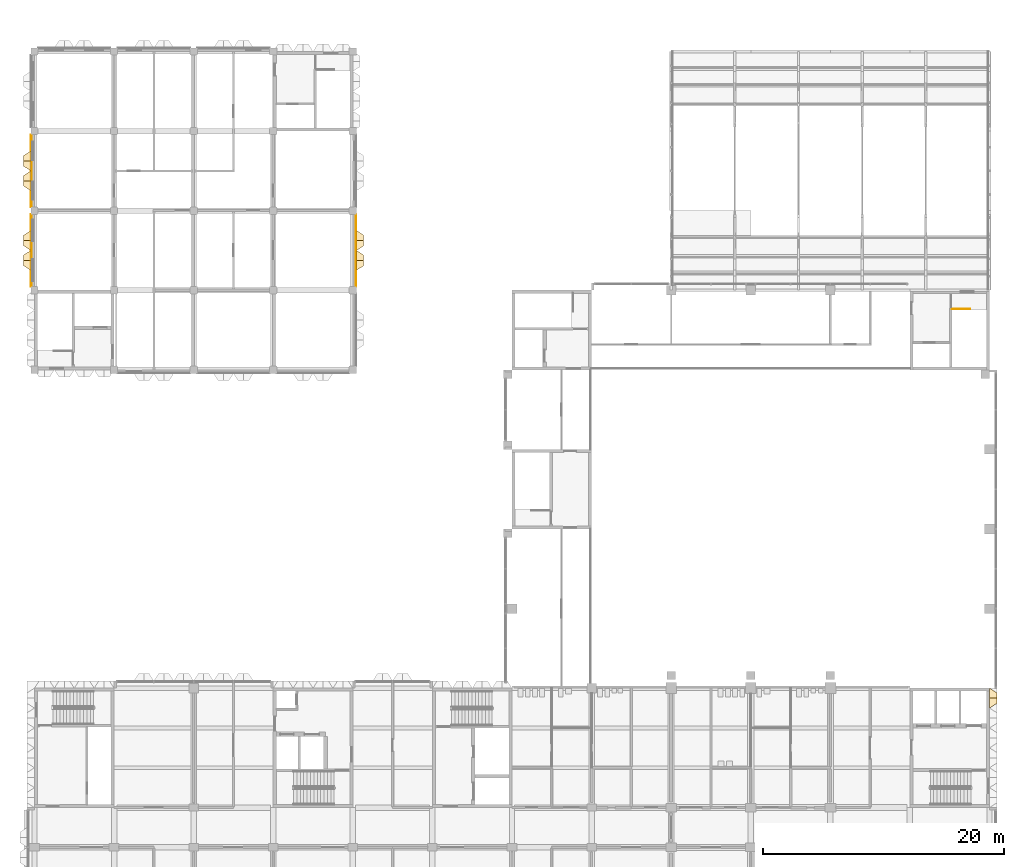
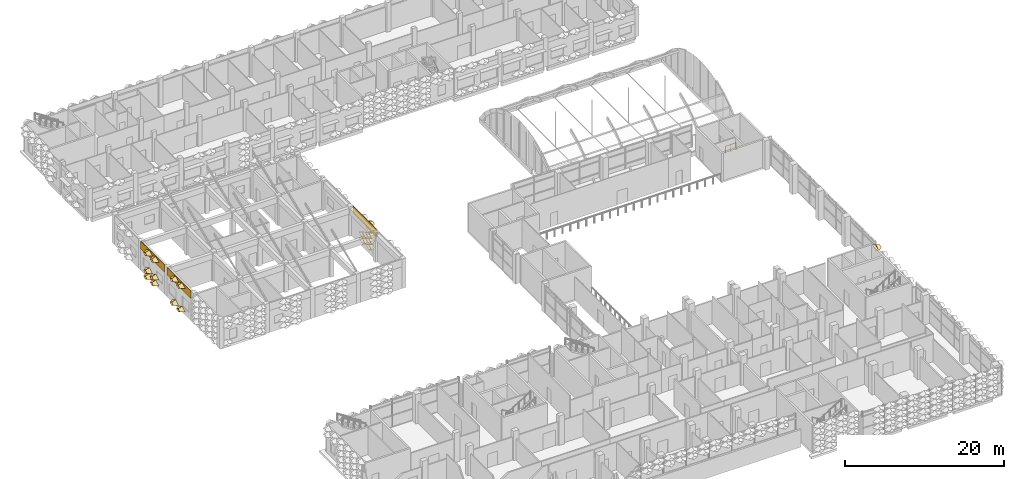
# One storey, part 81 of 102: 21 coverings, 1 railing.
"""IFC4 building model written with IfcOpenShell, lengths in metres."""

from ifc_helpers import new_model, entity, si_unit, direction, frame, frame_2d, origin, origin_2d, place, context, subcontext, project, spatial, rectangle, circle, extrude, material, layer, layer_set, type_object, element, save


model = new_model("IFC4")

# Units and contexts
model_context = context("Model", 3, precision=1e-05, world=origin(), true_north=direction((0.0, 1.0)))
body_context = subcontext(model_context, "Body", "Model", "MODEL_VIEW")
ifc_project = project(units=[si_unit("LENGTHUNIT", "METRE"), si_unit("AREAUNIT", "SQUARE_METRE"), si_unit("VOLUMEUNIT", "CUBIC_METRE"), si_unit("PLANEANGLEUNIT", "RADIAN"), si_unit("MASSUNIT", "GRAM", prefix="KILO")], contexts=[model_context])

# Site, building, storey
site_placement = place(None, origin())
site = spatial("IfcSite", under=ifc_project, at=site_placement, CompositionType="ELEMENT")
building_placement = place(site_placement, origin())
building = spatial("IfcBuilding", under=site, at=building_placement, Name="Lantern Court Research Institute", CompositionType="ELEMENT")
storey_placement = place(building_placement, frame((0.0, 0.0, 9.89990234375)))
storey = spatial("IfcBuildingStorey", under=building, at=storey_placement, Name="L02", CompositionType="ELEMENT", Elevation=9.89990234375)

# Coverings
ifc_material_1 = material(Name="Aluminium composite panel with mineral wool insulation", Category="aluminium")
ifc_layer_1 = layer(ifc_material_1, 0.074951171875)
ifc_layer_set_1 = layer_set([ifc_layer_1], Name="Aluminium composite panel with mineral wool insulation")
covering_type_1 = type_object("IfcCoveringType", Name="Edge fascia panel 75 aluminium faced", PredefinedType="CLADDING", material=ifc_layer_set_1)
for number, where, z_axis, x_axis, name in (
    (1, (26.66259765625, 62.39990234375, 3.35009765625), (0.0, 0.0, 1.0), (0.0, -1.0, 0.0), "Edge fascia V3E L02 02"),
    (2, (-0.262451171875, 56.39990234375, 3.35009765625), (0.0, 0.0, 1.0), (0.0, 1.0, 0.0), "Edge fascia V3W L02 01"),
    (3, (-0.262451171875, 63.0, 3.35009765625), (0.0, 0.0, 1.0), (0.0, 1.0, 0.0), "Edge fascia V3W L02 02"),
):
    element("IfcCovering", number, at=place(storey_placement, frame(where, z_axis=z_axis, x_axis=x_axis)), inside=storey, type_object=covering_type_1, Name=name, PredefinedType="CLADDING", context=body_context, shape_type="SweptSolid", body=[
        extrude(rectangle(XDim=6.0, YDim=0.074951171875, at=frame_2d((3.0, 0.0))), origin(), (0.0, 0.0, 1.0), 1.14990234375),
    ])
ifc_material_2 = material(Name="Anodised aluminium", Category="aluminium")
ifc_layer_2 = layer(ifc_material_2, 0.01611328125)
ifc_layer_set_2 = layer_set([ifc_layer_2], Name="Anodised aluminium")
covering_type_2 = type_object("IfcCoveringType", Name="Fin cassette 1650 x 900 x 600 aluminium", PredefinedType="CLADDING", material=ifc_layer_set_2)
covering_1_placement = place(storey_placement, frame((26.699951171875, 58.574951171875, 0.4501953125), z_axis=(1.0, 0.0, 0.0), x_axis=(0.0, 1.0, 0.0)))
cartesian_point_1 = entity("IfcCartesianPoint", [0.824951171875, 0.0])
cartesian_point_2 = entity("IfcCartesianPoint", [0.79150390625, 0.0])
cartesian_point_3 = entity("IfcCartesianPoint", [0.44189453125, 0.0])
cartesian_point_4 = entity("IfcCartesianPoint", [0.43359375, 0.0])
element("IfcCovering", 4, at=covering_1_placement, inside=storey, type_object=covering_type_2, Name="Fin cassette V3E-L02 1.36", PredefinedType="CLADDING", context=body_context, shape_type="SweptSolid", body=[
    entity("IfcExtrudedAreaSolidTapered", entity("IfcArbitraryProfileDefWithVoids", "AREA", None, entity("IfcPolyline", [cartesian_point_1, entity("IfcCartesianPoint", [0.0, 0.449951171875]), entity("IfcCartesianPoint", [-0.824951171875, 0.0]), entity("IfcCartesianPoint", [0.0, -0.449951171875]), cartesian_point_1]), [entity("IfcPolyline", [cartesian_point_2, entity("IfcCartesianPoint", [0.0, 0.431884765625]), entity("IfcCartesianPoint", [-0.79150390625, 0.0]), entity("IfcCartesianPoint", [0.0, -0.431884765625]), cartesian_point_2])]), entity("IfcAxis2Placement3D", entity("IfcCartesianPoint", [0.0, 0.0, 0.0])), entity("IfcDirection", [0.0, 0.0, 1.0]), 0.60009765625, entity("IfcArbitraryProfileDefWithVoids", "AREA", None, entity("IfcPolyline", [cartesian_point_3, entity("IfcCartesianPoint", [0.0, 0.240966796875]), entity("IfcCartesianPoint", [-0.44189453125, 0.0]), entity("IfcCartesianPoint", [0.0, -0.240966796875]), cartesian_point_3]), [entity("IfcPolyline", [cartesian_point_4, entity("IfcCartesianPoint", [0.0, 0.236572265625]), entity("IfcCartesianPoint", [-0.43359375, 0.0]), entity("IfcCartesianPoint", [0.0, -0.236572265625]), cartesian_point_4])])),
])
covering_2_placement = place(storey_placement, frame((26.699951171875, 60.22509765625, 0.4501953125), z_axis=(1.0, 0.0, 0.0), x_axis=(0.0, 1.0, 0.0)))
cartesian_point_5 = entity("IfcCartesianPoint", [0.824951171875, 0.0])
cartesian_point_6 = entity("IfcCartesianPoint", [0.79150390625, 0.0])
cartesian_point_7 = entity("IfcCartesianPoint", [0.44189453125, 0.0])
cartesian_point_8 = entity("IfcCartesianPoint", [0.43359375, 0.0])
element("IfcCovering", 5, at=covering_2_placement, inside=storey, type_object=covering_type_2, Name="Fin cassette V3E-L02 1.37", PredefinedType="CLADDING", context=body_context, shape_type="SweptSolid", body=[
    entity("IfcExtrudedAreaSolidTapered", entity("IfcArbitraryProfileDefWithVoids", "AREA", None, entity("IfcPolyline", [cartesian_point_5, entity("IfcCartesianPoint", [0.0, 0.449951171875]), entity("IfcCartesianPoint", [-0.824951171875, 0.0]), entity("IfcCartesianPoint", [0.0, -0.449951171875]), cartesian_point_5]), [entity("IfcPolyline", [cartesian_point_6, entity("IfcCartesianPoint", [0.0, 0.431884765625]), entity("IfcCartesianPoint", [-0.79150390625, 0.0]), entity("IfcCartesianPoint", [0.0, -0.431884765625]), cartesian_point_6])]), entity("IfcAxis2Placement3D", entity("IfcCartesianPoint", [0.0, 0.0, 0.0])), entity("IfcDirection", [0.0, 0.0, 1.0]), 0.60009765625, entity("IfcArbitraryProfileDefWithVoids", "AREA", None, entity("IfcPolyline", [cartesian_point_7, entity("IfcCartesianPoint", [0.0, 0.240966796875]), entity("IfcCartesianPoint", [-0.44189453125, 0.0]), entity("IfcCartesianPoint", [0.0, -0.240966796875]), cartesian_point_7]), [entity("IfcPolyline", [cartesian_point_8, entity("IfcCartesianPoint", [0.0, 0.236572265625]), entity("IfcCartesianPoint", [-0.43359375, 0.0]), entity("IfcCartesianPoint", [0.0, -0.236572265625]), cartesian_point_8])])),
])
covering_3_placement = place(storey_placement, frame((26.699951171875, 58.574951171875, 1.35009765625), z_axis=(1.0, 0.0, 0.0), x_axis=(0.0, 1.0, 0.0)))
cartesian_point_9 = entity("IfcCartesianPoint", [0.824951171875, 0.0])
cartesian_point_10 = entity("IfcCartesianPoint", [0.79150390625, 0.0])
cartesian_point_11 = entity("IfcCartesianPoint", [0.44189453125, 0.0])
cartesian_point_12 = entity("IfcCartesianPoint", [0.43359375, 0.0])
element("IfcCovering", 6, at=covering_3_placement, inside=storey, type_object=covering_type_2, Name="Fin cassette V3E-L02 2.36", PredefinedType="CLADDING", context=body_context, shape_type="SweptSolid", body=[
    entity("IfcExtrudedAreaSolidTapered", entity("IfcArbitraryProfileDefWithVoids", "AREA", None, entity("IfcPolyline", [cartesian_point_9, entity("IfcCartesianPoint", [0.0, 0.449951171875]), entity("IfcCartesianPoint", [-0.824951171875, 0.0]), entity("IfcCartesianPoint", [0.0, -0.449951171875]), cartesian_point_9]), [entity("IfcPolyline", [cartesian_point_10, entity("IfcCartesianPoint", [0.0, 0.431884765625]), entity("IfcCartesianPoint", [-0.79150390625, 0.0]), entity("IfcCartesianPoint", [0.0, -0.431884765625]), cartesian_point_10])]), entity("IfcAxis2Placement3D", entity("IfcCartesianPoint", [0.0, 0.0, 0.0])), entity("IfcDirection", [0.0, 0.0, 1.0]), 0.60009765625, entity("IfcArbitraryProfileDefWithVoids", "AREA", None, entity("IfcPolyline", [cartesian_point_11, entity("IfcCartesianPoint", [0.0, 0.240966796875]), entity("IfcCartesianPoint", [-0.44189453125, 0.0]), entity("IfcCartesianPoint", [0.0, -0.240966796875]), cartesian_point_11]), [entity("IfcPolyline", [cartesian_point_12, entity("IfcCartesianPoint", [0.0, 0.236572265625]), entity("IfcCartesianPoint", [-0.43359375, 0.0]), entity("IfcCartesianPoint", [0.0, -0.236572265625]), cartesian_point_12])])),
])
covering_4_placement = place(storey_placement, frame((26.699951171875, 60.22509765625, 1.35009765625), z_axis=(1.0, 0.0, 0.0), x_axis=(0.0, 1.0, 0.0)))
cartesian_point_13 = entity("IfcCartesianPoint", [0.824951171875, 0.0])
cartesian_point_14 = entity("IfcCartesianPoint", [0.79150390625, 0.0])
cartesian_point_15 = entity("IfcCartesianPoint", [0.44189453125, 0.0])
cartesian_point_16 = entity("IfcCartesianPoint", [0.43359375, 0.0])
element("IfcCovering", 7, at=covering_4_placement, inside=storey, type_object=covering_type_2, Name="Fin cassette V3E-L02 2.37", PredefinedType="CLADDING", context=body_context, shape_type="SweptSolid", body=[
    entity("IfcExtrudedAreaSolidTapered", entity("IfcArbitraryProfileDefWithVoids", "AREA", None, entity("IfcPolyline", [cartesian_point_13, entity("IfcCartesianPoint", [0.0, 0.449951171875]), entity("IfcCartesianPoint", [-0.824951171875, 0.0]), entity("IfcCartesianPoint", [0.0, -0.449951171875]), cartesian_point_13]), [entity("IfcPolyline", [cartesian_point_14, entity("IfcCartesianPoint", [0.0, 0.431884765625]), entity("IfcCartesianPoint", [-0.79150390625, 0.0]), entity("IfcCartesianPoint", [0.0, -0.431884765625]), cartesian_point_14])]), entity("IfcAxis2Placement3D", entity("IfcCartesianPoint", [0.0, 0.0, 0.0])), entity("IfcDirection", [0.0, 0.0, 1.0]), 0.60009765625, entity("IfcArbitraryProfileDefWithVoids", "AREA", None, entity("IfcPolyline", [cartesian_point_15, entity("IfcCartesianPoint", [0.0, 0.240966796875]), entity("IfcCartesianPoint", [-0.44189453125, 0.0]), entity("IfcCartesianPoint", [0.0, -0.240966796875]), cartesian_point_15]), [entity("IfcPolyline", [cartesian_point_16, entity("IfcCartesianPoint", [0.0, 0.236572265625]), entity("IfcCartesianPoint", [-0.43359375, 0.0]), entity("IfcCartesianPoint", [0.0, -0.236572265625]), cartesian_point_16])])),
])
covering_5_placement = place(storey_placement, frame((26.699951171875, 58.574951171875, 2.25), z_axis=(1.0, 0.0, 0.0), x_axis=(0.0, 1.0, 0.0)))
cartesian_point_17 = entity("IfcCartesianPoint", [0.824951171875, 0.0])
cartesian_point_18 = entity("IfcCartesianPoint", [0.79150390625, 0.0])
cartesian_point_19 = entity("IfcCartesianPoint", [0.44189453125, 0.0])
cartesian_point_20 = entity("IfcCartesianPoint", [0.43359375, 0.0])
element("IfcCovering", 8, at=covering_5_placement, inside=storey, type_object=covering_type_2, Name="Fin cassette V3E-L02 3.36", PredefinedType="CLADDING", context=body_context, shape_type="SweptSolid", body=[
    entity("IfcExtrudedAreaSolidTapered", entity("IfcArbitraryProfileDefWithVoids", "AREA", None, entity("IfcPolyline", [cartesian_point_17, entity("IfcCartesianPoint", [0.0, 0.449951171875]), entity("IfcCartesianPoint", [-0.824951171875, 0.0]), entity("IfcCartesianPoint", [0.0, -0.449951171875]), cartesian_point_17]), [entity("IfcPolyline", [cartesian_point_18, entity("IfcCartesianPoint", [0.0, 0.431884765625]), entity("IfcCartesianPoint", [-0.79150390625, 0.0]), entity("IfcCartesianPoint", [0.0, -0.431884765625]), cartesian_point_18])]), entity("IfcAxis2Placement3D", entity("IfcCartesianPoint", [0.0, 0.0, 0.0])), entity("IfcDirection", [0.0, 0.0, 1.0]), 0.60009765625, entity("IfcArbitraryProfileDefWithVoids", "AREA", None, entity("IfcPolyline", [cartesian_point_19, entity("IfcCartesianPoint", [0.0, 0.240966796875]), entity("IfcCartesianPoint", [-0.44189453125, 0.0]), entity("IfcCartesianPoint", [0.0, -0.240966796875]), cartesian_point_19]), [entity("IfcPolyline", [cartesian_point_20, entity("IfcCartesianPoint", [0.0, 0.236572265625]), entity("IfcCartesianPoint", [-0.43359375, 0.0]), entity("IfcCartesianPoint", [0.0, -0.236572265625]), cartesian_point_20])])),
])
covering_6_placement = place(storey_placement, frame((26.699951171875, 58.574951171875, 3.150146484375), z_axis=(1.0, 0.0, 0.0), x_axis=(0.0, 1.0, 0.0)))
cartesian_point_21 = entity("IfcCartesianPoint", [0.824951171875, 0.0])
cartesian_point_22 = entity("IfcCartesianPoint", [0.79150390625, 0.0])
cartesian_point_23 = entity("IfcCartesianPoint", [0.44189453125, 0.0])
cartesian_point_24 = entity("IfcCartesianPoint", [0.43359375, 0.0])
element("IfcCovering", 9, at=covering_6_placement, inside=storey, type_object=covering_type_2, Name="Fin cassette V3E-L02 4.36", PredefinedType="CLADDING", context=body_context, shape_type="SweptSolid", body=[
    entity("IfcExtrudedAreaSolidTapered", entity("IfcArbitraryProfileDefWithVoids", "AREA", None, entity("IfcPolyline", [cartesian_point_21, entity("IfcCartesianPoint", [0.0, 0.449951171875]), entity("IfcCartesianPoint", [-0.824951171875, 0.0]), entity("IfcCartesianPoint", [0.0, -0.449951171875]), cartesian_point_21]), [entity("IfcPolyline", [cartesian_point_22, entity("IfcCartesianPoint", [0.0, 0.431884765625]), entity("IfcCartesianPoint", [-0.79150390625, 0.0]), entity("IfcCartesianPoint", [0.0, -0.431884765625]), cartesian_point_22])]), entity("IfcAxis2Placement3D", entity("IfcCartesianPoint", [0.0, 0.0, 0.0])), entity("IfcDirection", [0.0, 0.0, 1.0]), 0.60009765625, entity("IfcArbitraryProfileDefWithVoids", "AREA", None, entity("IfcPolyline", [cartesian_point_23, entity("IfcCartesianPoint", [0.0, 0.240966796875]), entity("IfcCartesianPoint", [-0.44189453125, 0.0]), entity("IfcCartesianPoint", [0.0, -0.240966796875]), cartesian_point_23]), [entity("IfcPolyline", [cartesian_point_24, entity("IfcCartesianPoint", [0.0, 0.236572265625]), entity("IfcCartesianPoint", [-0.43359375, 0.0]), entity("IfcCartesianPoint", [0.0, -0.236572265625]), cartesian_point_24])])),
])
covering_7_placement = place(storey_placement, frame((26.699951171875, 58.574951171875, 4.050048828125), z_axis=(1.0, 0.0, 0.0), x_axis=(0.0, 1.0, 0.0)))
cartesian_point_25 = entity("IfcCartesianPoint", [0.824951171875, 0.0])
cartesian_point_26 = entity("IfcCartesianPoint", [0.79150390625, 0.0])
cartesian_point_27 = entity("IfcCartesianPoint", [0.44189453125, 0.0])
cartesian_point_28 = entity("IfcCartesianPoint", [0.43359375, 0.0])
element("IfcCovering", 10, at=covering_7_placement, inside=storey, type_object=covering_type_2, Name="Fin cassette V3E-L02 5.36", PredefinedType="CLADDING", context=body_context, shape_type="SweptSolid", body=[
    entity("IfcExtrudedAreaSolidTapered", entity("IfcArbitraryProfileDefWithVoids", "AREA", None, entity("IfcPolyline", [cartesian_point_25, entity("IfcCartesianPoint", [0.0, 0.449951171875]), entity("IfcCartesianPoint", [-0.824951171875, 0.0]), entity("IfcCartesianPoint", [0.0, -0.449951171875]), cartesian_point_25]), [entity("IfcPolyline", [cartesian_point_26, entity("IfcCartesianPoint", [0.0, 0.431884765625]), entity("IfcCartesianPoint", [-0.79150390625, 0.0]), entity("IfcCartesianPoint", [0.0, -0.431884765625]), cartesian_point_26])]), entity("IfcAxis2Placement3D", entity("IfcCartesianPoint", [0.0, 0.0, 0.0])), entity("IfcDirection", [0.0, 0.0, 1.0]), 0.60009765625, entity("IfcArbitraryProfileDefWithVoids", "AREA", None, entity("IfcPolyline", [cartesian_point_27, entity("IfcCartesianPoint", [0.0, 0.240966796875]), entity("IfcCartesianPoint", [-0.44189453125, 0.0]), entity("IfcCartesianPoint", [0.0, -0.240966796875]), cartesian_point_27]), [entity("IfcPolyline", [cartesian_point_28, entity("IfcCartesianPoint", [0.0, 0.236572265625]), entity("IfcCartesianPoint", [-0.43359375, 0.0]), entity("IfcCartesianPoint", [0.0, -0.236572265625]), cartesian_point_28])])),
])
covering_8_placement = place(storey_placement, frame((-0.300048828125, 58.574951171875, 0.4501953125), z_axis=(-1.0, 0.0, 0.0), x_axis=(0.0, -1.0, 0.0)))
cartesian_point_29 = entity("IfcCartesianPoint", [0.824951171875, 0.0])
cartesian_point_30 = entity("IfcCartesianPoint", [0.79150390625, 0.0])
cartesian_point_31 = entity("IfcCartesianPoint", [0.44189453125, 0.0])
cartesian_point_32 = entity("IfcCartesianPoint", [0.43359375, 0.0])
element("IfcCovering", 11, at=covering_8_placement, inside=storey, type_object=covering_type_2, Name="Fin cassette V3W-L02 1.36", PredefinedType="CLADDING", context=body_context, shape_type="SweptSolid", body=[
    entity("IfcExtrudedAreaSolidTapered", entity("IfcArbitraryProfileDefWithVoids", "AREA", None, entity("IfcPolyline", [cartesian_point_29, entity("IfcCartesianPoint", [0.0, 0.449951171875]), entity("IfcCartesianPoint", [-0.824951171875, 0.0]), entity("IfcCartesianPoint", [0.0, -0.449951171875]), cartesian_point_29]), [entity("IfcPolyline", [cartesian_point_30, entity("IfcCartesianPoint", [0.0, 0.431884765625]), entity("IfcCartesianPoint", [-0.79150390625, 0.0]), entity("IfcCartesianPoint", [0.0, -0.431884765625]), cartesian_point_30])]), entity("IfcAxis2Placement3D", entity("IfcCartesianPoint", [0.0, 0.0, 0.0])), entity("IfcDirection", [0.0, 0.0, 1.0]), 0.60009765625, entity("IfcArbitraryProfileDefWithVoids", "AREA", None, entity("IfcPolyline", [cartesian_point_31, entity("IfcCartesianPoint", [0.0, 0.240966796875]), entity("IfcCartesianPoint", [-0.44189453125, 0.0]), entity("IfcCartesianPoint", [0.0, -0.240966796875]), cartesian_point_31]), [entity("IfcPolyline", [cartesian_point_32, entity("IfcCartesianPoint", [0.0, 0.236572265625]), entity("IfcCartesianPoint", [-0.43359375, 0.0]), entity("IfcCartesianPoint", [0.0, -0.236572265625]), cartesian_point_32])])),
])
covering_9_placement = place(storey_placement, frame((-0.300048828125, 60.22509765625, 0.4501953125), z_axis=(-1.0, 0.0, 0.0), x_axis=(0.0, -1.0, 0.0)))
cartesian_point_33 = entity("IfcCartesianPoint", [0.824951171875, 0.0])
cartesian_point_34 = entity("IfcCartesianPoint", [0.79150390625, 0.0])
cartesian_point_35 = entity("IfcCartesianPoint", [0.44189453125, 0.0])
cartesian_point_36 = entity("IfcCartesianPoint", [0.43359375, 0.0])
element("IfcCovering", 12, at=covering_9_placement, inside=storey, type_object=covering_type_2, Name="Fin cassette V3W-L02 1.37", PredefinedType="CLADDING", context=body_context, shape_type="SweptSolid", body=[
    entity("IfcExtrudedAreaSolidTapered", entity("IfcArbitraryProfileDefWithVoids", "AREA", None, entity("IfcPolyline", [cartesian_point_33, entity("IfcCartesianPoint", [0.0, 0.449951171875]), entity("IfcCartesianPoint", [-0.824951171875, 0.0]), entity("IfcCartesianPoint", [0.0, -0.449951171875]), cartesian_point_33]), [entity("IfcPolyline", [cartesian_point_34, entity("IfcCartesianPoint", [0.0, 0.431884765625]), entity("IfcCartesianPoint", [-0.79150390625, 0.0]), entity("IfcCartesianPoint", [0.0, -0.431884765625]), cartesian_point_34])]), entity("IfcAxis2Placement3D", entity("IfcCartesianPoint", [0.0, 0.0, 0.0])), entity("IfcDirection", [0.0, 0.0, 1.0]), 0.60009765625, entity("IfcArbitraryProfileDefWithVoids", "AREA", None, entity("IfcPolyline", [cartesian_point_35, entity("IfcCartesianPoint", [0.0, 0.240966796875]), entity("IfcCartesianPoint", [-0.44189453125, 0.0]), entity("IfcCartesianPoint", [0.0, -0.240966796875]), cartesian_point_35]), [entity("IfcPolyline", [cartesian_point_36, entity("IfcCartesianPoint", [0.0, 0.236572265625]), entity("IfcCartesianPoint", [-0.43359375, 0.0]), entity("IfcCartesianPoint", [0.0, -0.236572265625]), cartesian_point_36])])),
])
covering_10_placement = place(storey_placement, frame((-0.300048828125, 65.175048828125, 0.4501953125), z_axis=(-1.0, 0.0, 0.0), x_axis=(0.0, -1.0, 0.0)))
cartesian_point_37 = entity("IfcCartesianPoint", [0.824951171875, 0.0])
cartesian_point_38 = entity("IfcCartesianPoint", [0.79150390625, 0.0])
cartesian_point_39 = entity("IfcCartesianPoint", [0.44189453125, 0.0])
cartesian_point_40 = entity("IfcCartesianPoint", [0.43359375, 0.0])
element("IfcCovering", 13, at=covering_10_placement, inside=storey, type_object=covering_type_2, Name="Fin cassette V3W-L02 1.40", PredefinedType="CLADDING", context=body_context, shape_type="SweptSolid", body=[
    entity("IfcExtrudedAreaSolidTapered", entity("IfcArbitraryProfileDefWithVoids", "AREA", None, entity("IfcPolyline", [cartesian_point_37, entity("IfcCartesianPoint", [0.0, 0.449951171875]), entity("IfcCartesianPoint", [-0.824951171875, 0.0]), entity("IfcCartesianPoint", [0.0, -0.449951171875]), cartesian_point_37]), [entity("IfcPolyline", [cartesian_point_38, entity("IfcCartesianPoint", [0.0, 0.431884765625]), entity("IfcCartesianPoint", [-0.79150390625, 0.0]), entity("IfcCartesianPoint", [0.0, -0.431884765625]), cartesian_point_38])]), entity("IfcAxis2Placement3D", entity("IfcCartesianPoint", [0.0, 0.0, 0.0])), entity("IfcDirection", [0.0, 0.0, 1.0]), 0.60009765625, entity("IfcArbitraryProfileDefWithVoids", "AREA", None, entity("IfcPolyline", [cartesian_point_39, entity("IfcCartesianPoint", [0.0, 0.240966796875]), entity("IfcCartesianPoint", [-0.44189453125, 0.0]), entity("IfcCartesianPoint", [0.0, -0.240966796875]), cartesian_point_39]), [entity("IfcPolyline", [cartesian_point_40, entity("IfcCartesianPoint", [0.0, 0.236572265625]), entity("IfcCartesianPoint", [-0.43359375, 0.0]), entity("IfcCartesianPoint", [0.0, -0.236572265625]), cartesian_point_40])])),
])
covering_11_placement = place(storey_placement, frame((-0.300048828125, 66.824951171875, 0.4501953125), z_axis=(-1.0, 0.0, 0.0), x_axis=(0.0, -1.0, 0.0)))
cartesian_point_41 = entity("IfcCartesianPoint", [0.824951171875, 0.0])
cartesian_point_42 = entity("IfcCartesianPoint", [0.79150390625, 0.0])
cartesian_point_43 = entity("IfcCartesianPoint", [0.44189453125, 0.0])
cartesian_point_44 = entity("IfcCartesianPoint", [0.43359375, 0.0])
element("IfcCovering", 14, at=covering_11_placement, inside=storey, type_object=covering_type_2, Name="Fin cassette V3W-L02 1.41", PredefinedType="CLADDING", context=body_context, shape_type="SweptSolid", body=[
    entity("IfcExtrudedAreaSolidTapered", entity("IfcArbitraryProfileDefWithVoids", "AREA", None, entity("IfcPolyline", [cartesian_point_41, entity("IfcCartesianPoint", [0.0, 0.449951171875]), entity("IfcCartesianPoint", [-0.824951171875, 0.0]), entity("IfcCartesianPoint", [0.0, -0.449951171875]), cartesian_point_41]), [entity("IfcPolyline", [cartesian_point_42, entity("IfcCartesianPoint", [0.0, 0.431884765625]), entity("IfcCartesianPoint", [-0.79150390625, 0.0]), entity("IfcCartesianPoint", [0.0, -0.431884765625]), cartesian_point_42])]), entity("IfcAxis2Placement3D", entity("IfcCartesianPoint", [0.0, 0.0, 0.0])), entity("IfcDirection", [0.0, 0.0, 1.0]), 0.60009765625, entity("IfcArbitraryProfileDefWithVoids", "AREA", None, entity("IfcPolyline", [cartesian_point_43, entity("IfcCartesianPoint", [0.0, 0.240966796875]), entity("IfcCartesianPoint", [-0.44189453125, 0.0]), entity("IfcCartesianPoint", [0.0, -0.240966796875]), cartesian_point_43]), [entity("IfcPolyline", [cartesian_point_44, entity("IfcCartesianPoint", [0.0, 0.236572265625]), entity("IfcCartesianPoint", [-0.43359375, 0.0]), entity("IfcCartesianPoint", [0.0, -0.236572265625]), cartesian_point_44])])),
])
covering_12_placement = place(storey_placement, frame((-0.300048828125, 65.175048828125, 1.35009765625), z_axis=(-1.0, 0.0, 0.0), x_axis=(0.0, -1.0, 0.0)))
cartesian_point_45 = entity("IfcCartesianPoint", [0.824951171875, 0.0])
cartesian_point_46 = entity("IfcCartesianPoint", [0.79150390625, 0.0])
cartesian_point_47 = entity("IfcCartesianPoint", [0.44189453125, 0.0])
cartesian_point_48 = entity("IfcCartesianPoint", [0.43359375, 0.0])
element("IfcCovering", 15, at=covering_12_placement, inside=storey, type_object=covering_type_2, Name="Fin cassette V3W-L02 2.40", PredefinedType="CLADDING", context=body_context, shape_type="SweptSolid", body=[
    entity("IfcExtrudedAreaSolidTapered", entity("IfcArbitraryProfileDefWithVoids", "AREA", None, entity("IfcPolyline", [cartesian_point_45, entity("IfcCartesianPoint", [0.0, 0.449951171875]), entity("IfcCartesianPoint", [-0.824951171875, 0.0]), entity("IfcCartesianPoint", [0.0, -0.449951171875]), cartesian_point_45]), [entity("IfcPolyline", [cartesian_point_46, entity("IfcCartesianPoint", [0.0, 0.431884765625]), entity("IfcCartesianPoint", [-0.79150390625, 0.0]), entity("IfcCartesianPoint", [0.0, -0.431884765625]), cartesian_point_46])]), entity("IfcAxis2Placement3D", entity("IfcCartesianPoint", [0.0, 0.0, 0.0])), entity("IfcDirection", [0.0, 0.0, 1.0]), 0.60009765625, entity("IfcArbitraryProfileDefWithVoids", "AREA", None, entity("IfcPolyline", [cartesian_point_47, entity("IfcCartesianPoint", [0.0, 0.240966796875]), entity("IfcCartesianPoint", [-0.44189453125, 0.0]), entity("IfcCartesianPoint", [0.0, -0.240966796875]), cartesian_point_47]), [entity("IfcPolyline", [cartesian_point_48, entity("IfcCartesianPoint", [0.0, 0.236572265625]), entity("IfcCartesianPoint", [-0.43359375, 0.0]), entity("IfcCartesianPoint", [0.0, -0.236572265625]), cartesian_point_48])])),
])
covering_13_placement = place(storey_placement, frame((-0.300048828125, 66.824951171875, 1.35009765625), z_axis=(-1.0, 0.0, 0.0), x_axis=(0.0, -1.0, 0.0)))
cartesian_point_49 = entity("IfcCartesianPoint", [0.824951171875, 0.0])
cartesian_point_50 = entity("IfcCartesianPoint", [0.79150390625, 0.0])
cartesian_point_51 = entity("IfcCartesianPoint", [0.44189453125, 0.0])
cartesian_point_52 = entity("IfcCartesianPoint", [0.43359375, 0.0])
element("IfcCovering", 16, at=covering_13_placement, inside=storey, type_object=covering_type_2, Name="Fin cassette V3W-L02 2.41", PredefinedType="CLADDING", context=body_context, shape_type="SweptSolid", body=[
    entity("IfcExtrudedAreaSolidTapered", entity("IfcArbitraryProfileDefWithVoids", "AREA", None, entity("IfcPolyline", [cartesian_point_49, entity("IfcCartesianPoint", [0.0, 0.449951171875]), entity("IfcCartesianPoint", [-0.824951171875, 0.0]), entity("IfcCartesianPoint", [0.0, -0.449951171875]), cartesian_point_49]), [entity("IfcPolyline", [cartesian_point_50, entity("IfcCartesianPoint", [0.0, 0.431884765625]), entity("IfcCartesianPoint", [-0.79150390625, 0.0]), entity("IfcCartesianPoint", [0.0, -0.431884765625]), cartesian_point_50])]), entity("IfcAxis2Placement3D", entity("IfcCartesianPoint", [0.0, 0.0, 0.0])), entity("IfcDirection", [0.0, 0.0, 1.0]), 0.60009765625, entity("IfcArbitraryProfileDefWithVoids", "AREA", None, entity("IfcPolyline", [cartesian_point_51, entity("IfcCartesianPoint", [0.0, 0.240966796875]), entity("IfcCartesianPoint", [-0.44189453125, 0.0]), entity("IfcCartesianPoint", [0.0, -0.240966796875]), cartesian_point_51]), [entity("IfcPolyline", [cartesian_point_52, entity("IfcCartesianPoint", [0.0, 0.236572265625]), entity("IfcCartesianPoint", [-0.43359375, 0.0]), entity("IfcCartesianPoint", [0.0, -0.236572265625]), cartesian_point_52])])),
])
covering_14_placement = place(storey_placement, frame((-0.300048828125, 58.574951171875, 4.050048828125), z_axis=(-1.0, 0.0, 0.0), x_axis=(0.0, -1.0, 0.0)))
cartesian_point_53 = entity("IfcCartesianPoint", [0.824951171875, 0.0])
cartesian_point_54 = entity("IfcCartesianPoint", [0.79150390625, 0.0])
cartesian_point_55 = entity("IfcCartesianPoint", [0.44189453125, 0.0])
cartesian_point_56 = entity("IfcCartesianPoint", [0.43359375, 0.0])
element("IfcCovering", 17, at=covering_14_placement, inside=storey, type_object=covering_type_2, Name="Fin cassette V3W-L02 5.36", PredefinedType="CLADDING", context=body_context, shape_type="SweptSolid", body=[
    entity("IfcExtrudedAreaSolidTapered", entity("IfcArbitraryProfileDefWithVoids", "AREA", None, entity("IfcPolyline", [cartesian_point_53, entity("IfcCartesianPoint", [0.0, 0.449951171875]), entity("IfcCartesianPoint", [-0.824951171875, 0.0]), entity("IfcCartesianPoint", [0.0, -0.449951171875]), cartesian_point_53]), [entity("IfcPolyline", [cartesian_point_54, entity("IfcCartesianPoint", [0.0, 0.431884765625]), entity("IfcCartesianPoint", [-0.79150390625, 0.0]), entity("IfcCartesianPoint", [0.0, -0.431884765625]), cartesian_point_54])]), entity("IfcAxis2Placement3D", entity("IfcCartesianPoint", [0.0, 0.0, 0.0])), entity("IfcDirection", [0.0, 0.0, 1.0]), 0.60009765625, entity("IfcArbitraryProfileDefWithVoids", "AREA", None, entity("IfcPolyline", [cartesian_point_55, entity("IfcCartesianPoint", [0.0, 0.240966796875]), entity("IfcCartesianPoint", [-0.44189453125, 0.0]), entity("IfcCartesianPoint", [0.0, -0.240966796875]), cartesian_point_55]), [entity("IfcPolyline", [cartesian_point_56, entity("IfcCartesianPoint", [0.0, 0.236572265625]), entity("IfcCartesianPoint", [-0.43359375, 0.0]), entity("IfcCartesianPoint", [0.0, -0.236572265625]), cartesian_point_56])])),
])
covering_15_placement = place(storey_placement, frame((-0.300048828125, 60.22509765625, 4.050048828125), z_axis=(-1.0, 0.0, 0.0), x_axis=(0.0, -1.0, 0.0)))
cartesian_point_57 = entity("IfcCartesianPoint", [0.824951171875, 0.0])
cartesian_point_58 = entity("IfcCartesianPoint", [0.79150390625, 0.0])
cartesian_point_59 = entity("IfcCartesianPoint", [0.44189453125, 0.0])
cartesian_point_60 = entity("IfcCartesianPoint", [0.43359375, 0.0])
element("IfcCovering", 18, at=covering_15_placement, inside=storey, type_object=covering_type_2, Name="Fin cassette V3W-L02 5.37", PredefinedType="CLADDING", context=body_context, shape_type="SweptSolid", body=[
    entity("IfcExtrudedAreaSolidTapered", entity("IfcArbitraryProfileDefWithVoids", "AREA", None, entity("IfcPolyline", [cartesian_point_57, entity("IfcCartesianPoint", [0.0, 0.449951171875]), entity("IfcCartesianPoint", [-0.824951171875, 0.0]), entity("IfcCartesianPoint", [0.0, -0.449951171875]), cartesian_point_57]), [entity("IfcPolyline", [cartesian_point_58, entity("IfcCartesianPoint", [0.0, 0.431884765625]), entity("IfcCartesianPoint", [-0.79150390625, 0.0]), entity("IfcCartesianPoint", [0.0, -0.431884765625]), cartesian_point_58])]), entity("IfcAxis2Placement3D", entity("IfcCartesianPoint", [0.0, 0.0, 0.0])), entity("IfcDirection", [0.0, 0.0, 1.0]), 0.60009765625, entity("IfcArbitraryProfileDefWithVoids", "AREA", None, entity("IfcPolyline", [cartesian_point_59, entity("IfcCartesianPoint", [0.0, 0.240966796875]), entity("IfcCartesianPoint", [-0.44189453125, 0.0]), entity("IfcCartesianPoint", [0.0, -0.240966796875]), cartesian_point_59]), [entity("IfcPolyline", [cartesian_point_60, entity("IfcCartesianPoint", [0.0, 0.236572265625]), entity("IfcCartesianPoint", [-0.43359375, 0.0]), entity("IfcCartesianPoint", [0.0, -0.236572265625]), cartesian_point_60])])),
])
covering_16_placement = place(storey_placement, frame((-0.300048828125, 65.175048828125, 4.050048828125), z_axis=(-1.0, 0.0, 0.0), x_axis=(0.0, -1.0, 0.0)))
cartesian_point_61 = entity("IfcCartesianPoint", [0.824951171875, 0.0])
cartesian_point_62 = entity("IfcCartesianPoint", [0.79150390625, 0.0])
cartesian_point_63 = entity("IfcCartesianPoint", [0.44189453125, 0.0])
cartesian_point_64 = entity("IfcCartesianPoint", [0.43359375, 0.0])
element("IfcCovering", 19, at=covering_16_placement, inside=storey, type_object=covering_type_2, Name="Fin cassette V3W-L02 5.40", PredefinedType="CLADDING", context=body_context, shape_type="SweptSolid", body=[
    entity("IfcExtrudedAreaSolidTapered", entity("IfcArbitraryProfileDefWithVoids", "AREA", None, entity("IfcPolyline", [cartesian_point_61, entity("IfcCartesianPoint", [0.0, 0.449951171875]), entity("IfcCartesianPoint", [-0.824951171875, 0.0]), entity("IfcCartesianPoint", [0.0, -0.449951171875]), cartesian_point_61]), [entity("IfcPolyline", [cartesian_point_62, entity("IfcCartesianPoint", [0.0, 0.431884765625]), entity("IfcCartesianPoint", [-0.79150390625, 0.0]), entity("IfcCartesianPoint", [0.0, -0.431884765625]), cartesian_point_62])]), entity("IfcAxis2Placement3D", entity("IfcCartesianPoint", [0.0, 0.0, 0.0])), entity("IfcDirection", [0.0, 0.0, 1.0]), 0.60009765625, entity("IfcArbitraryProfileDefWithVoids", "AREA", None, entity("IfcPolyline", [cartesian_point_63, entity("IfcCartesianPoint", [0.0, 0.240966796875]), entity("IfcCartesianPoint", [-0.44189453125, 0.0]), entity("IfcCartesianPoint", [0.0, -0.240966796875]), cartesian_point_63]), [entity("IfcPolyline", [cartesian_point_64, entity("IfcCartesianPoint", [0.0, 0.236572265625]), entity("IfcCartesianPoint", [-0.43359375, 0.0]), entity("IfcCartesianPoint", [0.0, -0.236572265625]), cartesian_point_64])])),
])
covering_17_placement = place(storey_placement, frame((-0.300048828125, 66.824951171875, 4.050048828125), z_axis=(-1.0, 0.0, 0.0), x_axis=(0.0, -1.0, 0.0)))
cartesian_point_65 = entity("IfcCartesianPoint", [0.824951171875, 0.0])
cartesian_point_66 = entity("IfcCartesianPoint", [0.79150390625, 0.0])
cartesian_point_67 = entity("IfcCartesianPoint", [0.44189453125, 0.0])
cartesian_point_68 = entity("IfcCartesianPoint", [0.43359375, 0.0])
element("IfcCovering", 20, at=covering_17_placement, inside=storey, type_object=covering_type_2, Name="Fin cassette V3W-L02 5.41", PredefinedType="CLADDING", context=body_context, shape_type="SweptSolid", body=[
    entity("IfcExtrudedAreaSolidTapered", entity("IfcArbitraryProfileDefWithVoids", "AREA", None, entity("IfcPolyline", [cartesian_point_65, entity("IfcCartesianPoint", [0.0, 0.449951171875]), entity("IfcCartesianPoint", [-0.824951171875, 0.0]), entity("IfcCartesianPoint", [0.0, -0.449951171875]), cartesian_point_65]), [entity("IfcPolyline", [cartesian_point_66, entity("IfcCartesianPoint", [0.0, 0.431884765625]), entity("IfcCartesianPoint", [-0.79150390625, 0.0]), entity("IfcCartesianPoint", [0.0, -0.431884765625]), cartesian_point_66])]), entity("IfcAxis2Placement3D", entity("IfcCartesianPoint", [0.0, 0.0, 0.0])), entity("IfcDirection", [0.0, 0.0, 1.0]), 0.60009765625, entity("IfcArbitraryProfileDefWithVoids", "AREA", None, entity("IfcPolyline", [cartesian_point_67, entity("IfcCartesianPoint", [0.0, 0.240966796875]), entity("IfcCartesianPoint", [-0.44189453125, 0.0]), entity("IfcCartesianPoint", [0.0, -0.240966796875]), cartesian_point_67]), [entity("IfcPolyline", [cartesian_point_68, entity("IfcCartesianPoint", [0.0, 0.236572265625]), entity("IfcCartesianPoint", [-0.43359375, 0.0]), entity("IfcCartesianPoint", [0.0, -0.236572265625]), cartesian_point_68])])),
])
covering_18_placement = place(storey_placement, frame((79.199951171875, 22.27490234375, 4.050048828125), z_axis=(1.0, 0.0, 0.0), x_axis=(0.0, 1.0, 0.0)))
cartesian_point_69 = entity("IfcCartesianPoint", [0.824951171875, 0.0])
cartesian_point_70 = entity("IfcCartesianPoint", [0.79150390625, 0.0])
cartesian_point_71 = entity("IfcCartesianPoint", [0.44189453125, 0.0])
cartesian_point_72 = entity("IfcCartesianPoint", [0.43359375, 0.0])
element("IfcCovering", 21, at=covering_18_placement, inside=storey, type_object=covering_type_2, Name="Fin cassette V5E-L02 5.14", PredefinedType="CLADDING", context=body_context, shape_type="SweptSolid", body=[
    entity("IfcExtrudedAreaSolidTapered", entity("IfcArbitraryProfileDefWithVoids", "AREA", None, entity("IfcPolyline", [cartesian_point_69, entity("IfcCartesianPoint", [0.0, 0.449951171875]), entity("IfcCartesianPoint", [-0.824951171875, 0.0]), entity("IfcCartesianPoint", [0.0, -0.449951171875]), cartesian_point_69]), [entity("IfcPolyline", [cartesian_point_70, entity("IfcCartesianPoint", [0.0, 0.431884765625]), entity("IfcCartesianPoint", [-0.79150390625, 0.0]), entity("IfcCartesianPoint", [0.0, -0.431884765625]), cartesian_point_70])]), entity("IfcAxis2Placement3D", entity("IfcCartesianPoint", [0.0, 0.0, 0.0])), entity("IfcDirection", [0.0, 0.0, 1.0]), 0.60009765625, entity("IfcArbitraryProfileDefWithVoids", "AREA", None, entity("IfcPolyline", [cartesian_point_71, entity("IfcCartesianPoint", [0.0, 0.240966796875]), entity("IfcCartesianPoint", [-0.44189453125, 0.0]), entity("IfcCartesianPoint", [0.0, -0.240966796875]), cartesian_point_71]), [entity("IfcPolyline", [cartesian_point_72, entity("IfcCartesianPoint", [0.0, 0.236572265625]), entity("IfcCartesianPoint", [-0.43359375, 0.0]), entity("IfcCartesianPoint", [0.0, -0.236572265625]), cartesian_point_72])])),
])

# Railing
ifc_material_3 = material(Name="Structural steel S355", Category="steel")
railing_type = type_object("IfcRailingType", Name="Stair guard 1100 steel", PredefinedType="GUARDRAIL", material=ifc_material_3)
railing_placement = place(storey_placement, frame((76.10009765625, 54.550048828125, 0.0)))
element("IfcRailing", 22, at=railing_placement, inside=storey, type_object=railing_type, Name="L02 ST-H2 top well guard 1", PredefinedType="GUARDRAIL", context=body_context, shape_type="SweptSolid", body=[
    extrude(circle(Radius=0.02392578125, at=origin_2d()), frame((0.0, 0.0, 1.076171875), z_axis=(1.0, 0.0, 0.0), x_axis=(0.0, 1.0, 0.0)), (0.0, 0.0, 1.0), 1.5),
    extrude(circle(Radius=0.02099609375, at=origin_2d()), origin(), (0.0, 0.0, 1.0), 1.052001953125),
    extrude(circle(Radius=0.02099609375, at=origin_2d()), frame((0.75, 0.0, 0.0)), (0.0, 0.0, 1.0), 1.052001953125),
    extrude(circle(Radius=0.02099609375, at=origin_2d()), frame((1.5, 0.0, 0.0)), (0.0, 0.0, 1.0), 1.052001953125),
])

save(model, "model.ifc")
